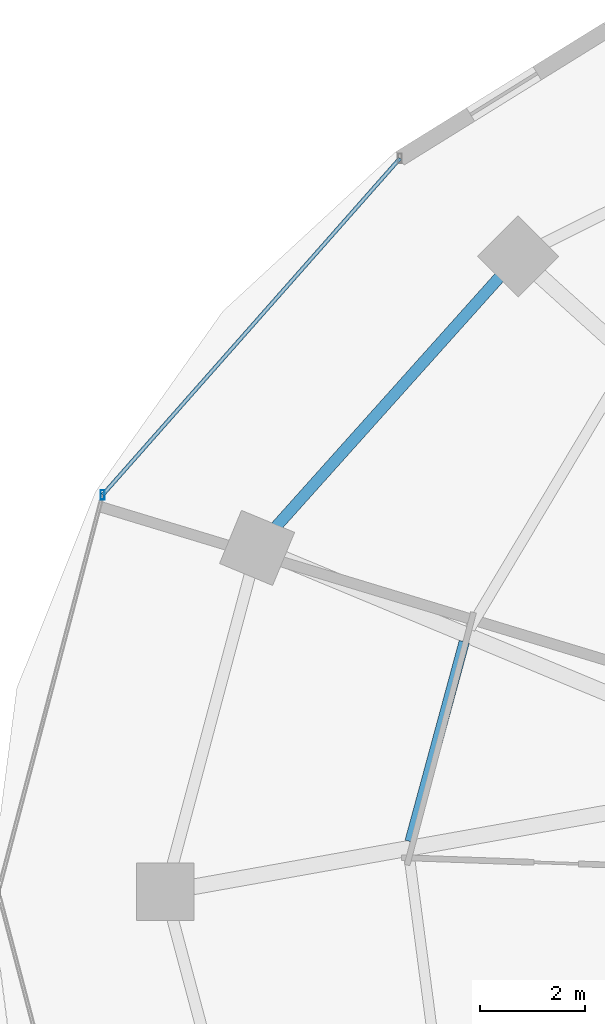
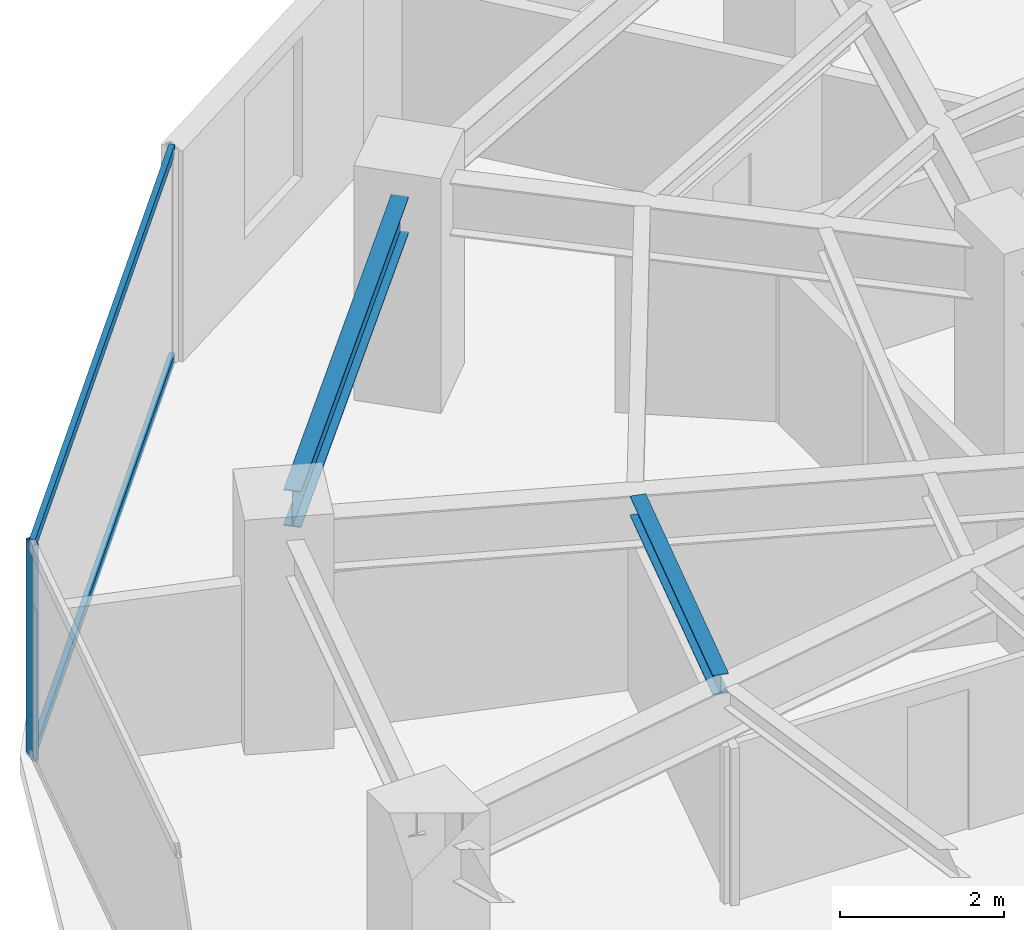
# One storey, part 9 of 29: 3 members, 2 beams, 1 element without a shape of its own.
"""IFC4 building model written with IfcOpenShell, lengths in metres."""

from ifc_helpers import new_model, si_unit, direction, frame, origin, origin_2d, place, context, subcontext, project, spatial, hollow_rectangle, i_section, extrude, material, material_profile, profile_set, type_object, element, aggregate, save


model = new_model("IFC4")

# Units and contexts
model_context = context("Model", 3, precision=1e-05, world=origin(), true_north=direction((0.0, 1.0)))
body_context = subcontext(model_context, "Body", "Model", "MODEL_VIEW")
ifc_project = project(units=[si_unit("LENGTHUNIT", "METRE"), si_unit("AREAUNIT", "SQUARE_METRE"), si_unit("VOLUMEUNIT", "CUBIC_METRE"), si_unit("PLANEANGLEUNIT", "RADIAN"), si_unit("MASSUNIT", "GRAM", prefix="KILO")], contexts=[model_context])

# Site, building, storey
site_placement = place(None, origin())
site = spatial("IfcSite", under=ifc_project, at=site_placement, CompositionType="ELEMENT")
building_placement = place(site_placement, origin())
building = spatial("IfcBuilding", under=site, at=building_placement, Name="Vorneva Point Tower", CompositionType="ELEMENT")
storey_placement = place(building_placement, frame((0.0, 0.0, 120.800048828125)))
storey = spatial("IfcBuildingStorey", under=building, at=storey_placement, Name="L32", CompositionType="ELEMENT", Elevation=120.800048828125)

# Beams
ifc_material_1 = material(Name="Steel S355", Category="steel")
ifc_material_profile_1 = material_profile(ifc_material_1, i_section(OverallWidth=0.199951171875, OverallDepth=0.291015625, WebThickness=0.008056640625, FlangeThickness=0.010986328125, at=origin_2d()), Name="30Sh1")
ifc_profile_set_1 = profile_set([ifc_material_profile_1], Name="Steel S355")
beam_type_1 = type_object("IfcBeamType", Name="BM-SEC-30Sh1", PredefinedType="BEAM", material=ifc_profile_set_1)
beam_1_placement = place(storey_placement, frame((20.669677734375, 30.7861328125, 3.00439453125), z_axis=(-0.261880909286, -0.965100196535, 0.0), x_axis=(0.965100196535, -0.261880909286, 0.0)))
element("IfcBeam", 1, at=beam_1_placement, inside=storey, type_object=beam_type_1, Name="L32 Secondary Floor Beam 1.08", PredefinedType="BEAM", context=body_context, shape_type="SweptSolid", body=[
    extrude(i_section(OverallWidth=0.199951171875, OverallDepth=0.291015625, WebThickness=0.008056640625, FlangeThickness=0.010986328125, at=origin_2d()), origin(), (0.0, 0.0, 1.0), 3.960205078125),
])
ifc_material_profile_2 = material_profile(ifc_material_1, i_section(OverallWidth=0.219970703125, OverallDepth=0.54296875, WebThickness=0.009521484375, FlangeThickness=0.013427734375, at=origin_2d()), Name="55B1")
ifc_profile_set_2 = profile_set([ifc_material_profile_2], Name="Steel S355")
beam_type_2 = type_object("IfcBeamType", Name="BM-SPN-55B1", PredefinedType="SPANDREL", material=ifc_profile_set_2)
beam_2_placement = place(storey_placement, frame((21.34423828125, 37.763671875, 2.87841796875), z_axis=(-0.667073815664, -0.744991627105, 0.0), x_axis=(0.744991627105, -0.667073815664, 0.0)))
element("IfcBeam", 2, at=beam_2_placement, inside=storey, type_object=beam_type_2, Name="L32 Perimeter Spandrel Ring Beam 07", PredefinedType="SPANDREL", context=body_context, shape_type="SweptSolid", body=[
    extrude(i_section(OverallWidth=0.219970703125, OverallDepth=0.54296875, WebThickness=0.009521484375, FlangeThickness=0.013427734375, at=origin_2d()), origin(), (0.0, 0.0, 1.0), 6.420166015625),
])

# Curtain wall, members
ifc_material_2 = material(Name="Pale anodised aluminium", Category="aluminium")
curtain_wall_type = type_object("IfcCurtainWallType", Name="CW-HTL-SYS", PredefinedType="NOTDEFINED", material=ifc_material_2)
curtain_wall_placement = place(storey_placement, origin())
curtain_wall = element("IfcCurtainWall", 3, at=curtain_wall_placement, inside=storey, type_object=curtain_wall_type, Name="L32 Unitised Curtain Wall CW-L32-R02", PredefinedType="NOTDEFINED")
ifc_material_profile_3 = material_profile(ifc_material_2, hollow_rectangle(XDim=0.074951171875, YDim=0.179931640625, WallThickness=0.00390625, at=origin_2d()), Name="AL-MUL 180x75x4")
ifc_profile_set_3 = profile_set([ifc_material_profile_3], Name="Pale anodised aluminium")
member_type_1 = type_object("IfcMemberType", Name="CW-MUL-180", PredefinedType="MULLION", material=ifc_profile_set_3)
member_1_placement = place(storey_placement, frame((13.748291015625, 33.59619140625, -0.0400390625), z_axis=(0.0, 0.0, 1.0), x_axis=(1.0, 0.0, 0.0)))
member_1 = element("IfcMember", 4, at=member_1_placement, type_object=member_type_1, Name="CW-L32-R02 Mullion 02", PredefinedType="MULLION", context=body_context, shape_type="SweptSolid", body=[
    extrude(hollow_rectangle(XDim=0.074951171875, YDim=0.179931640625, WallThickness=0.00390625, at=origin_2d()), origin(), (0.0, 0.0, 1.0), 3.219970703125),
])
ifc_material_profile_4 = material_profile(ifc_material_2, hollow_rectangle(XDim=0.074951171875, YDim=0.14990234375, WallThickness=0.00390625, at=origin_2d()), Name="AL-TRN 150x75x4")
ifc_profile_set_4 = profile_set([ifc_material_profile_4], Name="Pale anodised aluminium")
member_type_2 = type_object("IfcMemberType", Name="CW-TRN-150", PredefinedType="USERDEFINED", material=ifc_profile_set_4)
member_2_placement = place(storey_placement, frame((19.4384765625, 40.0361328125, 0.02001953125), z_axis=(-0.662137326257, -0.74938251993, 0.0), x_axis=(0.74938251993, -0.662137326257, 0.0)))
member_2 = element("IfcMember", 5, at=member_2_placement, type_object=member_type_2, Name="CW-L32-R02 Transom 01.1", ObjectType="TRANSOM", PredefinedType="USERDEFINED", context=body_context, shape_type="SweptSolid", body=[
    extrude(hollow_rectangle(XDim=0.074951171875, YDim=0.14990234375, WallThickness=0.00390625, at=origin_2d()), origin(), (0.0, 0.0, 1.0), 8.59375),
])
member_3_placement = place(storey_placement, frame((19.4384765625, 40.0361328125, 3.1298828125), z_axis=(-0.662137326257, -0.74938251993, 0.0), x_axis=(0.74938251993, -0.662137326257, 0.0)))
member_3 = element("IfcMember", 6, at=member_3_placement, type_object=member_type_2, Name="CW-L32-R02 Transom 01.2", ObjectType="TRANSOM", PredefinedType="USERDEFINED", context=body_context, shape_type="SweptSolid", body=[
    extrude(hollow_rectangle(XDim=0.074951171875, YDim=0.14990234375, WallThickness=0.00390625, at=origin_2d()), origin(), (0.0, 0.0, 1.0), 8.59375),
])
aggregate(curtain_wall, [member_1, member_2, member_3])

save(model, "model.ifc")
